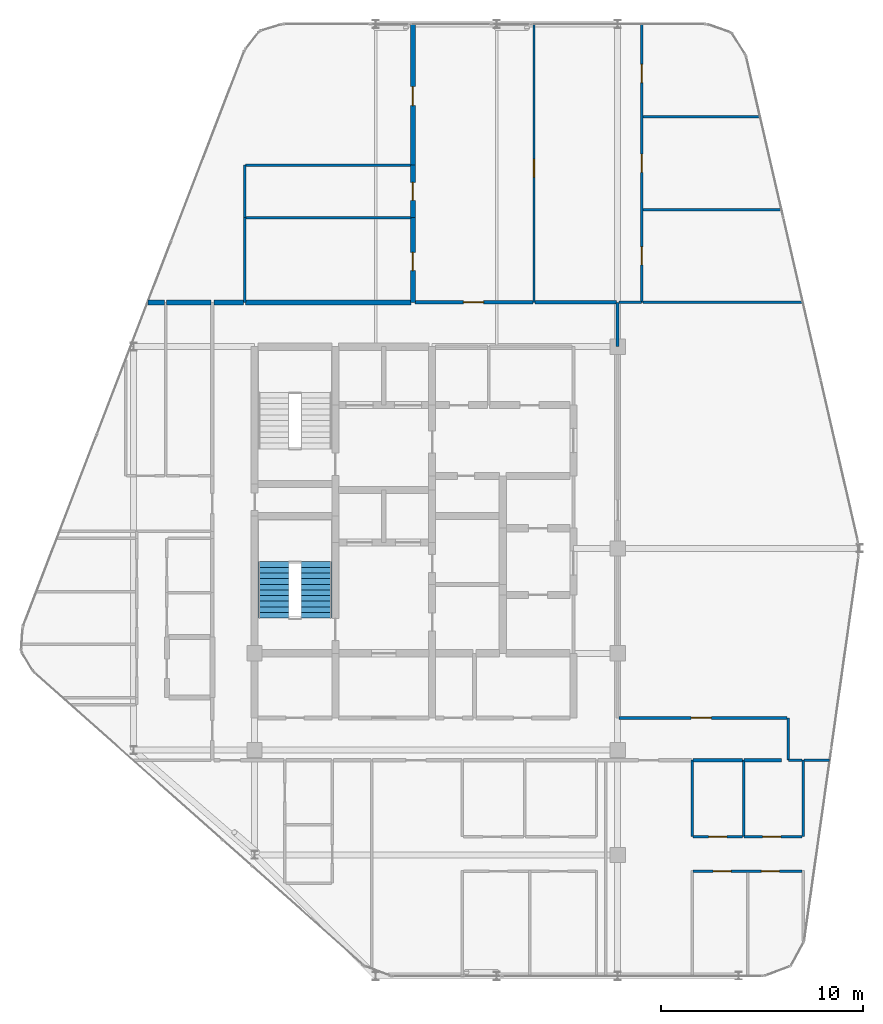
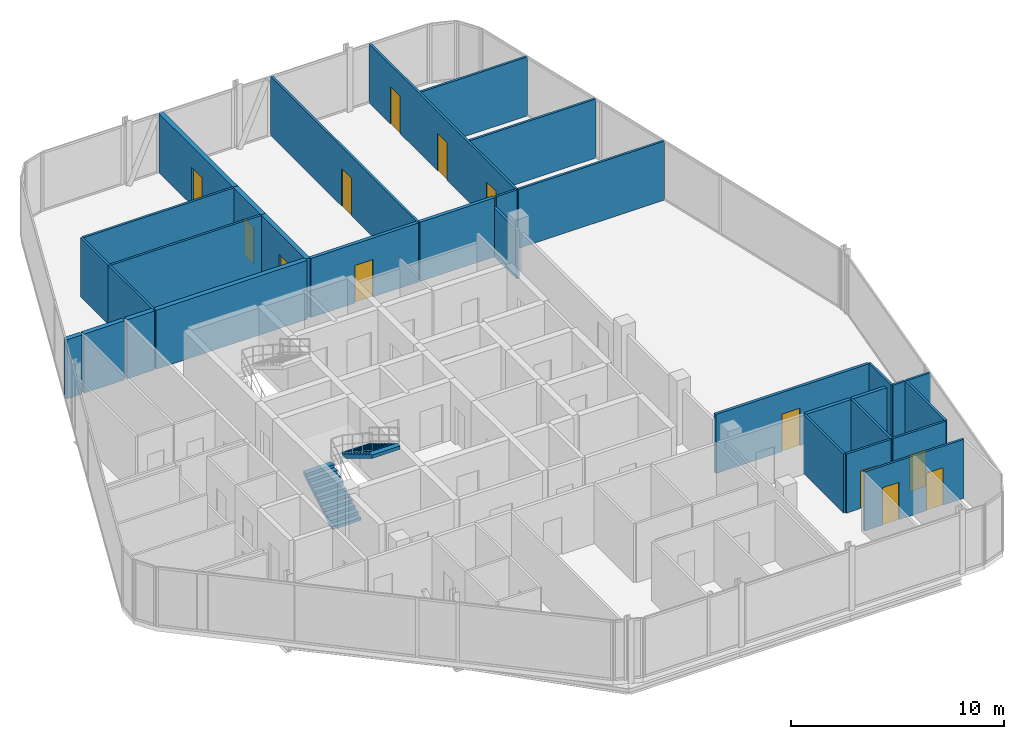
# One storey, part 25 of 27: 32 walls, 13 doors, 2 stair flights, 13 openings, 1 element without a shape of its own.
"""IFC4 building model written with IfcOpenShell, lengths in metres."""

from ifc_helpers import new_model, si_unit, direction, frame, frame_2d, origin, place, context, subcontext, project, spatial, polyline, rectangle, outline, extrude, material, layer, layer_set, type_object, element, fill, aggregate, save


model = new_model("IFC4")

# Units and contexts
model_context = context("Model", 3, precision=1e-05, world=origin(), true_north=direction((0.0, 1.0)))
body_context = subcontext(model_context, "Body", "Model", "MODEL_VIEW")
ifc_project = project(units=[si_unit("LENGTHUNIT", "METRE"), si_unit("AREAUNIT", "SQUARE_METRE"), si_unit("VOLUMEUNIT", "CUBIC_METRE"), si_unit("PLANEANGLEUNIT", "RADIAN"), si_unit("MASSUNIT", "GRAM", prefix="KILO")], contexts=[model_context])

# Site, building, storey
site_placement = place(None, origin())
site = spatial("IfcSite", under=ifc_project, at=site_placement, CompositionType="ELEMENT")
building_placement = place(site_placement, origin())
building = spatial("IfcBuilding", under=site, at=building_placement, Name="Keshet Zoharim Tower", CompositionType="ELEMENT")
storey_placement = place(building_placement, frame((0.0, 0.0, 254.699951171875)))
storey = spatial("IfcBuildingStorey", under=building, at=storey_placement, Name="L63", CompositionType="ELEMENT", Elevation=254.699951171875)

# Wall, opening, door
ifc_material_1 = material(Name="Gypsum Plasterboard", Category="gypsum")
ifc_layer_1 = layer(ifc_material_1, 0.14990234375)
ifc_layer_set_1 = layer_set([ifc_layer_1], Name="Gypsum Plasterboard")
wall_type_1 = type_object("IfcWallType", Name="WL-CLIN-150", PredefinedType="STANDARD", material=ifc_layer_set_1)
wall_1_placement = place(storey_placement, frame((33.06005859375, 19.5, 0.0), z_axis=(0.0, 0.0, 1.0), x_axis=(1.0, 0.0, 0.0)))
wall_1 = element("IfcWall", 1, at=wall_1_placement, inside=storey, type_object=wall_type_1, Name="L63 Interior Wall 096", PredefinedType="STANDARD", context=body_context, shape_type="SweptSolid", body=[
    extrude(rectangle(XDim=8.322998046875, YDim=0.14990234375, at=frame_2d((4.16162109375, 0.0))), origin(), (0.0, 0.0, 1.0), 3.39013671875),
])
opening_1_placement = place(wall_1_placement, frame((3.5830078125, 0.0, 0.0)))
opening_1 = element("IfcOpeningElement", 2, at=opening_1_placement, cuts=wall_1, Name="Opening D-F310", PredefinedType="OPENING", context=body_context, shape_type="SweptSolid", body=[
    extrude(rectangle(XDim=1.0, YDim=2.14990234375, at=frame_2d((0.5, 1.074951171875))), frame((0.0, 0.0849609375, 0.0), z_axis=(0.0, -1.0, 0.0), x_axis=(1.0, 0.0, 0.0)), (0.0, 0.0, 1.0), 0.169921875),
])
ifc_material_2 = material(Name="Hardwood Timber", Category="wood")
door_type_1 = type_object("IfcDoorType", Name="DR-FD30-100", OperationType="NOTDEFINED", PredefinedType="DOOR", material=ifc_material_2)
door_1_placement = place(opening_1_placement, origin())
door_1 = element("IfcDoor", 3, at=door_1_placement, inside=storey, type_object=door_type_1, Name="L63 North West Residents Services Suite Door 2", OperationType="SINGLE_SWING_RIGHT", OverallHeight=2.14990234375, OverallWidth=1.0, PredefinedType="DOOR", context=body_context, shape_type="SweptSolid", body=[
    extrude(rectangle(XDim=1.0, YDim=2.14990234375, at=frame_2d((0.5, 1.074951171875))), frame((0.0, 0.02490234375, 0.0), z_axis=(0.0, -1.0, 0.0), x_axis=(1.0, 0.0, 0.0)), (0.0, 0.0, 1.0), 0.050048828125),
])
fill(opening_1, door_1)

# Walls
wall_2_placement = place(storey_placement, frame((33.0, 37.89990234375, 0.0), z_axis=(0.0, 0.0, 1.0), x_axis=(0.0, 1.0, 0.0)))
element("IfcWall", 4, at=wall_2_placement, inside=storey, type_object=wall_type_1, Name="L63 Interior Wall 063 Part 3", PredefinedType="STANDARD", context=body_context, shape_type="SweptSolid", body=[
    extrude(rectangle(XDim=2.2001953125, YDim=0.14990234375, at=frame_2d((1.10009765625, 0.0))), origin(), (0.0, 0.0, 1.0), 2.7900390625),
])
ifc_layer_2 = layer(ifc_material_1, 0.179931640625)
ifc_layer_set_2 = layer_set([ifc_layer_2], Name="Gypsum Plasterboard")
wall_type_2 = type_object("IfcWallType", Name="WL-CORR-180", PredefinedType="STANDARD", material=ifc_layer_set_2)
wall_3_placement = place(storey_placement, frame((36.7451171875, 17.39990234375, 0.0), z_axis=(0.0, 0.0, 1.0), x_axis=(1.0, 0.0, 0.0)))
element("IfcWall", 5, at=wall_3_placement, inside=storey, type_object=wall_type_2, Name="L63 Interior Wall 088", PredefinedType="STANDARD", context=body_context, shape_type="SweptSolid", body=[
    extrude(rectangle(XDim=2.435791015625, YDim=0.179931640625, at=frame_2d((1.2177734375, 0.0))), origin(), (0.0, 0.0, 1.0), 3.39013671875),
])
wall_4_placement = place(storey_placement, frame((39.27099609375, 17.39990234375, 0.0), z_axis=(0.0, 0.0, 1.0), x_axis=(1.0, 0.0, 0.0)))
element("IfcWall", 6, at=wall_4_placement, inside=storey, type_object=wall_type_2, Name="L63 Interior Wall 089", PredefinedType="STANDARD", context=body_context, shape_type="SweptSolid", body=[
    extrude(rectangle(XDim=1.85888671875, YDim=0.179931640625, at=frame_2d((0.929443359375, 0.0))), origin(), (0.0, 0.0, 1.0), 3.39013671875),
])

# Wall, opening, door
wall_5_placement = place(storey_placement, frame((22.9599609375, 40.10009765625, 0.0), z_axis=(0.0, 0.0, 1.0), x_axis=(1.0, 0.0, 0.0)))
wall_5 = element("IfcWall", 7, at=wall_5_placement, inside=storey, type_object=wall_type_2, Name="L63 Interior Wall 136", PredefinedType="STANDARD", context=body_context, shape_type="SweptSolid", body=[
    extrude(rectangle(XDim=5.844970703125, YDim=0.179931640625, at=frame_2d((2.92236328125, 0.0))), origin(), (0.0, 0.0, 1.0), 3.39013671875),
])
opening_2_placement = place(wall_5_placement, frame((2.389892578125, 0.0, 0.0)))
opening_2 = element("IfcOpeningElement", 8, at=opening_2_placement, cuts=wall_5, Name="Opening D-F310", PredefinedType="OPENING", context=body_context, shape_type="SweptSolid", body=[
    extrude(rectangle(XDim=1.0, YDim=2.14990234375, at=frame_2d((0.5, 1.074951171875))), frame((0.0, 0.10009765625, 0.0), z_axis=(0.0, -1.0, 0.0), x_axis=(1.0, 0.0, 0.0)), (0.0, 0.0, 1.0), 0.199951171875),
])
door_2_placement = place(opening_2_placement, origin())
door_2 = element("IfcDoor", 9, at=door_2_placement, inside=storey, type_object=door_type_1, Name="Apartment 6304 Entrance Door", OperationType="SINGLE_SWING_LEFT", OverallHeight=2.14990234375, OverallWidth=1.0, PredefinedType="DOOR", context=body_context, shape_type="SweptSolid", body=[
    extrude(rectangle(XDim=1.0, YDim=2.14990234375, at=frame_2d((0.5, 1.074951171875))), frame((0.0, 0.02490234375, 0.0), z_axis=(0.0, -1.0, 0.0), x_axis=(1.0, 0.0, 0.0)), (0.0, 0.0, 1.0), 0.050048828125),
])
fill(opening_2, door_2)

# Wall
wall_6_placement = place(storey_placement, frame((28.89501953125, 40.10009765625, 0.0), z_axis=(0.0, 0.0, 1.0), x_axis=(1.0, 0.0, 0.0)))
element("IfcWall", 10, at=wall_6_placement, inside=storey, type_object=wall_type_2, Name="L63 Interior Wall 137", PredefinedType="STANDARD", context=body_context, shape_type="SweptSolid", body=[
    extrude(rectangle(XDim=4.044921875, YDim=0.179931640625, at=frame_2d((2.0224609375, 0.0))), origin(), (0.0, 0.0, 1.0), 3.39013671875),
])

# Wall, opening, door
ifc_material_3 = material(Name="Concrete C50/60", Category="concrete")
ifc_layer_3 = layer(ifc_material_3, 0.25)
ifc_layer_set_3 = layer_set([ifc_layer_3], Name="Concrete C50/60")
wall_type_3 = type_object("IfcWallType", Name="WL-MAMAD-250", PredefinedType="STANDARD", material=ifc_layer_set_3)
wall_7_placement = place(storey_placement, frame((22.85009765625, 40.10009765625, 0.0), z_axis=(0.0, 0.0, 1.0), x_axis=(0.0, 1.0, 0.0)))
wall_7 = element("IfcWall", 11, at=wall_7_placement, inside=storey, type_object=wall_type_3, Name="L63 Interior Wall 034", PredefinedType="STANDARD", context=body_context, shape_type="SweptSolid", body=[
    extrude(rectangle(XDim=4.199951171875, YDim=0.25, at=frame_2d((2.10009765625, 0.0))), origin(), (0.0, 0.0, 1.0), 3.39013671875),
])
opening_3_placement = place(wall_7_placement, frame((1.576904296875, 0.0, 0.0)))
opening_3 = element("IfcOpeningElement", 12, at=opening_3_placement, cuts=wall_7, Name="Opening D-IN90", PredefinedType="OPENING", context=body_context, shape_type="SweptSolid", body=[
    extrude(rectangle(XDim=0.89990234375, YDim=2.14990234375, at=frame_2d((0.449951171875, 1.074951171875))), frame((0.0, 0.135009765625, 0.0), z_axis=(0.0, -1.0, 0.0), x_axis=(1.0, 0.0, 0.0)), (0.0, 0.0, 1.0), 0.27001953125),
])
door_type_2 = type_object("IfcDoorType", Name="DR-INT-090", OperationType="NOTDEFINED", PredefinedType="DOOR", material=ifc_material_2)
door_3_placement = place(opening_3_placement, origin())
door_3 = element("IfcDoor", 13, at=door_3_placement, inside=storey, type_object=door_type_2, Name="Apartment 6304 Kitchen Door", OperationType="SINGLE_SWING_RIGHT", OverallHeight=2.14990234375, OverallWidth=0.89990234375, PredefinedType="DOOR", context=body_context, shape_type="SweptSolid", body=[
    extrude(rectangle(XDim=0.89990234375, YDim=2.14990234375, at=frame_2d((0.449951171875, 1.074951171875))), frame((0.0, 0.02490234375, 0.0), z_axis=(0.0, -1.0, 0.0), x_axis=(1.0, 0.0, 0.0)), (0.0, 0.0, 1.0), 0.050048828125),
])
fill(opening_3, door_3)

wall_8_placement = place(storey_placement, frame((22.85009765625, 44.300048828125, 0.0), z_axis=(0.0, 0.0, 1.0), x_axis=(0.0, 1.0, 0.0)))
wall_8 = element("IfcWall", 14, at=wall_8_placement, inside=storey, type_object=wall_type_3, Name="L63 Interior Wall 035", PredefinedType="STANDARD", context=body_context, shape_type="SweptSolid", body=[
    extrude(rectangle(XDim=2.599853515625, YDim=0.25, at=frame_2d((1.2998046875, 0.0))), origin(), (0.0, 0.0, 1.0), 3.39013671875),
])
opening_4_placement = place(wall_8_placement, frame((0.85009765625, 0.0, 0.0)))
opening_4 = element("IfcOpeningElement", 15, at=opening_4_placement, cuts=wall_8, Name="Opening D-WT90", PredefinedType="OPENING", context=body_context, shape_type="SweptSolid", body=[
    extrude(rectangle(XDim=0.89990234375, YDim=2.10009765625, at=frame_2d((0.449951171875, 1.050048828125))), frame((0.0, 0.135009765625, 0.0), z_axis=(0.0, -1.0, 0.0), x_axis=(1.0, 0.0, 0.0)), (0.0, 0.0, 1.0), 0.27001953125),
])
door_type_3 = type_object("IfcDoorType", Name="DR-WET-090", OperationType="NOTDEFINED", PredefinedType="DOOR", material=ifc_material_2)
door_4_placement = place(opening_4_placement, origin())
door_4 = element("IfcDoor", 16, at=door_4_placement, inside=storey, type_object=door_type_3, Name="Apartment 6304 Bathroom Door", OperationType="SINGLE_SWING_LEFT", OverallHeight=2.10009765625, OverallWidth=0.89990234375, PredefinedType="DOOR", context=body_context, shape_type="SweptSolid", body=[
    extrude(rectangle(XDim=0.89990234375, YDim=2.10009765625, at=frame_2d((0.449951171875, 1.050048828125))), frame((0.0, 0.02490234375, 0.0), z_axis=(0.0, -1.0, 0.0), x_axis=(1.0, 0.0, 0.0)), (0.0, 0.0, 1.0), 0.050048828125),
])
fill(opening_4, door_4)

wall_9_placement = place(storey_placement, frame((22.85009765625, 46.89990234375, 0.0), z_axis=(0.0, 0.0, 1.0), x_axis=(0.0, 1.0, 0.0)))
wall_9 = element("IfcWall", 17, at=wall_9_placement, inside=storey, type_object=wall_type_3, Name="L63 Interior Wall 036", PredefinedType="STANDARD", context=body_context, shape_type="SweptSolid", body=[
    extrude(rectangle(XDim=6.989990234375, YDim=0.25, at=frame_2d((3.4951171875, 0.0))), origin(), (0.0, 0.0, 1.0), 3.39013671875),
])
opening_5_placement = place(wall_9_placement, frame((2.948974609375, 0.0, 0.0)))
opening_5 = element("IfcOpeningElement", 18, at=opening_5_placement, cuts=wall_9, Name="Opening D-F695", PredefinedType="OPENING", context=body_context, shape_type="SweptSolid", body=[
    extrude(rectangle(XDim=0.949951171875, YDim=2.14990234375, at=frame_2d((0.47509765625, 1.074951171875))), frame((0.0, 0.135009765625, 0.0), z_axis=(0.0, -1.0, 0.0), x_axis=(1.0, 0.0, 0.0)), (0.0, 0.0, 1.0), 0.27001953125),
])
door_type_4 = type_object("IfcDoorType", Name="DR-FD60-095", OperationType="NOTDEFINED", PredefinedType="DOOR", material=ifc_material_2)
door_5_placement = place(opening_5_placement, origin())
door_5 = element("IfcDoor", 19, at=door_5_placement, inside=storey, type_object=door_type_4, Name="Apartment 6304 Study and Shelter Room Door", OperationType="SINGLE_SWING_RIGHT", OverallHeight=2.14990234375, OverallWidth=0.949951171875, PredefinedType="DOOR", context=body_context, shape_type="SweptSolid", body=[
    extrude(rectangle(XDim=0.949951171875, YDim=2.14990234375, at=frame_2d((0.47509765625, 1.074951171875))), frame((0.0, 0.02490234375, 0.0), z_axis=(0.0, -1.0, 0.0), x_axis=(1.0, 0.0, 0.0)), (0.0, 0.0, 1.0), 0.050048828125),
])
fill(opening_5, door_5)

# Walls
wall_10_placement = place(storey_placement, frame((9.701904296875, 40.10009765625, 0.0), z_axis=(0.0, 0.0, 1.0), x_axis=(1.0, 0.0, 0.0)))
element("IfcWall", 20, at=wall_10_placement, inside=storey, type_object=wall_type_3, Name="L63 Interior Wall 132", PredefinedType="STANDARD", context=body_context, shape_type="SweptSolid", body=[
    extrude(rectangle(XDim=0.8310546875, YDim=0.25, at=frame_2d((0.41552734375, 0.0))), origin(), (0.0, 0.0, 1.0), 3.39013671875),
])
wall_11_placement = place(storey_placement, frame((10.623046875, 40.10009765625, 0.0), z_axis=(0.0, 0.0, 1.0), x_axis=(1.0, 0.0, 0.0)))
element("IfcWall", 21, at=wall_11_placement, inside=storey, type_object=wall_type_3, Name="L63 Interior Wall 133", PredefinedType="STANDARD", context=body_context, shape_type="SweptSolid", body=[
    extrude(rectangle(XDim=2.201904296875, YDim=0.25, at=frame_2d((1.10107421875, 0.0))), origin(), (0.0, 0.0, 1.0), 3.39013671875),
])
wall_12_placement = place(storey_placement, frame((12.97509765625, 40.10009765625, 0.0), z_axis=(0.0, 0.0, 1.0), x_axis=(1.0, 0.0, 0.0)))
element("IfcWall", 22, at=wall_12_placement, inside=storey, type_object=wall_type_3, Name="L63 Interior Wall 134", PredefinedType="STANDARD", context=body_context, shape_type="SweptSolid", body=[
    extrude(rectangle(XDim=1.47998046875, YDim=0.25, at=frame_2d((0.739990234375, 0.0))), origin(), (0.0, 0.0, 1.0), 3.39013671875),
])
wall_13_placement = place(storey_placement, frame((14.544921875, 40.10009765625, 0.0), z_axis=(0.0, 0.0, 1.0), x_axis=(1.0, 0.0, 0.0)))
element("IfcWall", 23, at=wall_13_placement, inside=storey, type_object=wall_type_3, Name="L63 Interior Wall 135", PredefinedType="STANDARD", context=body_context, shape_type="SweptSolid", body=[
    extrude(rectangle(XDim=8.195068359375, YDim=0.25, at=frame_2d((4.09765625, 0.0))), origin(), (0.0, 0.0, 1.0), 3.39013671875),
])
ifc_layer_4 = layer(ifc_material_1, 0.1201171875)
ifc_layer_set_4 = layer_set([ifc_layer_4], Name="Gypsum Plasterboard")
wall_type_4 = type_object("IfcWallType", Name="WL-PART-120", PredefinedType="PARTITIONING", material=ifc_layer_set_4)
wall_14_placement = place(storey_placement, frame((14.5, 40.10009765625, 0.0), z_axis=(0.0, 0.0, 1.0), x_axis=(0.0, 1.0, 0.0)))
element("IfcWall", 24, at=wall_14_placement, inside=storey, type_object=wall_type_4, Name="L63 Interior Wall 016", PredefinedType="PARTITIONING", context=body_context, shape_type="SweptSolid", body=[
    extrude(rectangle(XDim=4.199951171875, YDim=0.1201171875, at=frame_2d((2.10009765625, 0.0))), origin(), (0.0, 0.0, 1.0), 3.39013671875),
])

# Wall, opening, door
wall_15_placement = place(storey_placement, frame((28.85009765625, 40.10009765625, 0.0), z_axis=(0.0, 0.0, 1.0), x_axis=(0.0, 1.0, 0.0)))
wall_15 = element("IfcWall", 25, at=wall_15_placement, inside=storey, type_object=wall_type_4, Name="L63 Interior Wall 053", PredefinedType="PARTITIONING", context=body_context, shape_type="SweptSolid", body=[
    extrude(rectangle(XDim=13.789794921875, YDim=0.1201171875, at=frame_2d((6.89501953125, 0.0))), origin(), (0.0, 0.0, 1.0), 3.39013671875),
])
opening_6_placement = place(wall_15_placement, frame((6.199951171875, 0.0, 0.0)))
opening_6 = element("IfcOpeningElement", 26, at=opening_6_placement, cuts=wall_15, Name="Opening D-IN90", PredefinedType="OPENING", context=body_context, shape_type="SweptSolid", body=[
    extrude(rectangle(XDim=0.89990234375, YDim=2.14990234375, at=frame_2d((0.449951171875, 1.074951171875))), frame((0.0, 0.070068359375, 0.0), z_axis=(0.0, -1.0, 0.0), x_axis=(1.0, 0.0, 0.0)), (0.0, 0.0, 1.0), 0.14013671875),
])
door_6_placement = place(opening_6_placement, origin())
door_6 = element("IfcDoor", 27, at=door_6_placement, inside=storey, type_object=door_type_2, Name="Apartment 6304 Formal Dining Room Door", OperationType="SINGLE_SWING_RIGHT", OverallHeight=2.14990234375, OverallWidth=0.89990234375, PredefinedType="DOOR", context=body_context, shape_type="SweptSolid", body=[
    extrude(rectangle(XDim=0.89990234375, YDim=2.14990234375, at=frame_2d((0.449951171875, 1.074951171875))), frame((0.0, 0.02490234375, 0.0), z_axis=(0.0, -1.0, 0.0), x_axis=(1.0, 0.0, 0.0)), (0.0, 0.0, 1.0), 0.050048828125),
])
fill(opening_6, door_6)

# Wall, openings, doors
wall_16_placement = place(storey_placement, frame((34.199951171875, 40.10009765625, 0.0), z_axis=(0.0, 0.0, 1.0), x_axis=(0.0, 1.0, 0.0)))
wall_16 = element("IfcWall", 28, at=wall_16_placement, inside=storey, type_object=wall_type_4, Name="L63 Interior Wall 064", PredefinedType="PARTITIONING", context=body_context, shape_type="SweptSolid", body=[
    extrude(rectangle(XDim=13.789794921875, YDim=0.1201171875, at=frame_2d((6.89501953125, 0.0))), origin(), (0.0, 0.0, 1.0), 3.39013671875),
])
opening_7_placement = place(wall_16_placement, frame((1.85205078125, 0.0, 0.0)))
opening_7 = element("IfcOpeningElement", 29, at=opening_7_placement, cuts=wall_16, Name="Opening D-IN90", PredefinedType="OPENING", context=body_context, shape_type="SweptSolid", body=[
    extrude(rectangle(XDim=0.89990234375, YDim=2.14990234375, at=frame_2d((0.449951171875, 1.074951171875))), frame((0.0, 0.070068359375, 0.0), z_axis=(0.0, -1.0, 0.0), x_axis=(1.0, 0.0, 0.0)), (0.0, 0.0, 1.0), 0.14013671875),
])
opening_8_placement = place(wall_16_placement, frame((6.449951171875, 0.0, 0.0)))
opening_8 = element("IfcOpeningElement", 30, at=opening_8_placement, cuts=wall_16, Name="Opening D-IN90", PredefinedType="OPENING", context=body_context, shape_type="SweptSolid", body=[
    extrude(rectangle(XDim=0.89990234375, YDim=2.14990234375, at=frame_2d((0.449951171875, 1.074951171875))), frame((0.0, 0.070068359375, 0.0), z_axis=(0.0, -1.0, 0.0), x_axis=(1.0, 0.0, 0.0)), (0.0, 0.0, 1.0), 0.14013671875),
])
opening_9_placement = place(wall_16_placement, frame((10.89794921875, 0.0, 0.0)))
opening_9 = element("IfcOpeningElement", 31, at=opening_9_placement, cuts=wall_16, Name="Opening D-IN90", PredefinedType="OPENING", context=body_context, shape_type="SweptSolid", body=[
    extrude(rectangle(XDim=0.89990234375, YDim=2.14990234375, at=frame_2d((0.449951171875, 1.074951171875))), frame((0.0, 0.070068359375, 0.0), z_axis=(0.0, -1.0, 0.0), x_axis=(1.0, 0.0, 0.0)), (0.0, 0.0, 1.0), 0.14013671875),
])
door_7_placement = place(opening_7_placement, origin())
door_7 = element("IfcDoor", 32, at=door_7_placement, inside=storey, type_object=door_type_2, Name="Apartment 6304 Bedroom 1 Door", OperationType="SINGLE_SWING_RIGHT", OverallHeight=2.14990234375, OverallWidth=0.89990234375, PredefinedType="DOOR", context=body_context, shape_type="SweptSolid", body=[
    extrude(rectangle(XDim=0.89990234375, YDim=2.14990234375, at=frame_2d((0.449951171875, 1.074951171875))), frame((0.0, 0.02490234375, 0.0), z_axis=(0.0, -1.0, 0.0), x_axis=(1.0, 0.0, 0.0)), (0.0, 0.0, 1.0), 0.050048828125),
])
fill(opening_7, door_7)
door_8_placement = place(opening_8_placement, origin())
door_8 = element("IfcDoor", 33, at=door_8_placement, inside=storey, type_object=door_type_2, Name="Apartment 6304 Bedroom 2 Door", OperationType="SINGLE_SWING_LEFT", OverallHeight=2.14990234375, OverallWidth=0.89990234375, PredefinedType="DOOR", context=body_context, shape_type="SweptSolid", body=[
    extrude(rectangle(XDim=0.89990234375, YDim=2.14990234375, at=frame_2d((0.449951171875, 1.074951171875))), frame((0.0, 0.02490234375, 0.0), z_axis=(0.0, -1.0, 0.0), x_axis=(1.0, 0.0, 0.0)), (0.0, 0.0, 1.0), 0.050048828125),
])
fill(opening_8, door_8)
door_9_placement = place(opening_9_placement, origin())
door_9 = element("IfcDoor", 34, at=door_9_placement, inside=storey, type_object=door_type_2, Name="Apartment 6304 Bedroom 3 Door", OperationType="SINGLE_SWING_RIGHT", OverallHeight=2.14990234375, OverallWidth=0.89990234375, PredefinedType="DOOR", context=body_context, shape_type="SweptSolid", body=[
    extrude(rectangle(XDim=0.89990234375, YDim=2.14990234375, at=frame_2d((0.449951171875, 1.074951171875))), frame((0.0, 0.02490234375, 0.0), z_axis=(0.0, -1.0, 0.0), x_axis=(1.0, 0.0, 0.0)), (0.0, 0.0, 1.0), 0.050048828125),
])
fill(opening_9, door_9)

# Walls
wall_17_placement = place(storey_placement, frame((36.699951171875, 13.6201171875, 0.0), z_axis=(0.0, 0.0, 1.0), x_axis=(0.0, 1.0, 0.0)))
element("IfcWall", 35, at=wall_17_placement, inside=storey, type_object=wall_type_4, Name="L63 Interior Wall 066", PredefinedType="PARTITIONING", context=body_context, shape_type="SweptSolid", body=[
    extrude(rectangle(XDim=3.77978515625, YDim=0.1201171875, at=frame_2d((1.889892578125, 0.0))), origin(), (0.0, 0.0, 1.0), 3.39013671875),
])
wall_18_placement = place(storey_placement, frame((41.449951171875, 17.39990234375, 0.0), z_axis=(0.0, 0.0, 1.0), x_axis=(0.0, 1.0, 0.0)))
element("IfcWall", 36, at=wall_18_placement, inside=storey, type_object=wall_type_4, Name="L63 Interior Wall 069", PredefinedType="PARTITIONING", context=body_context, shape_type="SweptSolid", body=[
    extrude(rectangle(XDim=2.09912109375, YDim=0.1201171875, at=frame_2d((1.049560546875, 0.0))), origin(), (0.0, 0.0, 1.0), 3.39013671875),
])

# Wall, openings, doors
wall_19_placement = place(storey_placement, frame((36.7451171875, 11.89990234375, 0.0), z_axis=(0.0, 0.0, 1.0), x_axis=(1.0, 0.0, 0.0)))
wall_19 = element("IfcWall", 37, at=wall_19_placement, inside=storey, type_object=wall_type_4, Name="L63 Interior Wall 074", PredefinedType="PARTITIONING", context=body_context, shape_type="SweptSolid", body=[
    extrude(rectangle(XDim=5.40087890625, YDim=0.1201171875, at=frame_2d((2.700439453125, 0.0))), origin(), (0.0, 0.0, 1.0), 3.39013671875),
])
opening_10_placement = place(wall_19_placement, frame((0.98095703125, 0.0, 0.0)))
opening_10 = element("IfcOpeningElement", 38, at=opening_10_placement, cuts=wall_19, Name="Opening D-IN90", PredefinedType="OPENING", context=body_context, shape_type="SweptSolid", body=[
    extrude(rectangle(XDim=0.89990234375, YDim=2.14990234375, at=frame_2d((0.449951171875, 1.074951171875))), frame((0.0, 0.070068359375, 0.0), z_axis=(0.0, -1.0, 0.0), x_axis=(1.0, 0.0, 0.0)), (0.0, 0.0, 1.0), 0.14013671875),
])
opening_11_placement = place(wall_19_placement, frame((3.376953125, 0.0, 0.0)))
opening_11 = element("IfcOpeningElement", 39, at=opening_11_placement, cuts=wall_19, Name="Opening D-IN90", PredefinedType="OPENING", context=body_context, shape_type="SweptSolid", body=[
    extrude(rectangle(XDim=0.89990234375, YDim=2.14990234375, at=frame_2d((0.449951171875, 1.074951171875))), frame((0.0, 0.070068359375, 0.0), z_axis=(0.0, -1.0, 0.0), x_axis=(1.0, 0.0, 0.0)), (0.0, 0.0, 1.0), 0.14013671875),
])
door_10_placement = place(opening_10_placement, origin())
door_10 = element("IfcDoor", 40, at=door_10_placement, inside=storey, type_object=door_type_2, Name="Apartment 6303 Bedroom 1 Door", OperationType="SINGLE_SWING_LEFT", OverallHeight=2.14990234375, OverallWidth=0.89990234375, PredefinedType="DOOR", context=body_context, shape_type="SweptSolid", body=[
    extrude(rectangle(XDim=0.89990234375, YDim=2.14990234375, at=frame_2d((0.449951171875, 1.074951171875))), frame((0.0, 0.02490234375, 0.0), z_axis=(0.0, -1.0, 0.0), x_axis=(1.0, 0.0, 0.0)), (0.0, 0.0, 1.0), 0.050048828125),
])
fill(opening_10, door_10)
door_11_placement = place(opening_11_placement, origin())
door_11 = element("IfcDoor", 41, at=door_11_placement, inside=storey, type_object=door_type_2, Name="Apartment 6303 Bedroom 2 Door", OperationType="SINGLE_SWING_RIGHT", OverallHeight=2.14990234375, OverallWidth=0.89990234375, PredefinedType="DOOR", context=body_context, shape_type="SweptSolid", body=[
    extrude(rectangle(XDim=0.89990234375, YDim=2.14990234375, at=frame_2d((0.449951171875, 1.074951171875))), frame((0.0, 0.02490234375, 0.0), z_axis=(0.0, -1.0, 0.0), x_axis=(1.0, 0.0, 0.0)), (0.0, 0.0, 1.0), 0.050048828125),
])
fill(opening_11, door_11)

# Wall, opening, door
wall_20_placement = place(storey_placement, frame((36.7451171875, 13.60009765625, 0.0), z_axis=(0.0, 0.0, 1.0), x_axis=(1.0, 0.0, 0.0)))
wall_20 = element("IfcWall", 42, at=wall_20_placement, inside=storey, type_object=wall_type_4, Name="L63 Interior Wall 077", PredefinedType="PARTITIONING", context=body_context, shape_type="SweptSolid", body=[
    extrude(rectangle(XDim=2.435791015625, YDim=0.1201171875, at=frame_2d((1.2177734375, 0.0))), origin(), (0.0, 0.0, 1.0), 3.39013671875),
])
opening_12_placement = place(wall_20_placement, frame((0.76806640625, 0.0, 0.0)))
opening_12 = element("IfcOpeningElement", 43, at=opening_12_placement, cuts=wall_20, Name="Opening D-IN90", PredefinedType="OPENING", context=body_context, shape_type="SweptSolid", body=[
    extrude(rectangle(XDim=0.89990234375, YDim=2.14990234375, at=frame_2d((0.449951171875, 1.074951171875))), frame((0.0, 0.070068359375, 0.0), z_axis=(0.0, -1.0, 0.0), x_axis=(1.0, 0.0, 0.0)), (0.0, 0.0, 1.0), 0.14013671875),
])
door_12_placement = place(opening_12_placement, origin())
door_12 = element("IfcDoor", 44, at=door_12_placement, inside=storey, type_object=door_type_2, Name="Apartment 6303 Kitchen Door", OperationType="SINGLE_SWING_LEFT", OverallHeight=2.14990234375, OverallWidth=0.89990234375, PredefinedType="DOOR", context=body_context, shape_type="SweptSolid", body=[
    extrude(rectangle(XDim=0.89990234375, YDim=2.14990234375, at=frame_2d((0.449951171875, 1.074951171875))), frame((0.0, 0.02490234375, 0.0), z_axis=(0.0, -1.0, 0.0), x_axis=(1.0, 0.0, 0.0)), (0.0, 0.0, 1.0), 0.050048828125),
])
fill(opening_12, door_12)

# Walls
wall_21_placement = place(storey_placement, frame((42.236083984375, 17.39990234375, 0.0), z_axis=(0.0, 0.0, 1.0), x_axis=(1.0, 0.0, 0.0)))
element("IfcWall", 45, at=wall_21_placement, inside=storey, type_object=wall_type_4, Name="L63 Interior Wall 091", PredefinedType="PARTITIONING", context=body_context, shape_type="SweptSolid", body=[
    extrude(rectangle(XDim=1.267822265625, YDim=0.1201171875, at=frame_2d((0.6337890625, 0.0))), origin(), (0.0, 0.0, 1.0), 3.39013671875),
])
wall_22_placement = place(storey_placement, frame((33.06005859375, 40.10009765625, 0.0), z_axis=(0.0, 0.0, 1.0), x_axis=(1.0, 0.0, 0.0)))
element("IfcWall", 46, at=wall_22_placement, inside=storey, type_object=wall_type_4, Name="L63 Interior Wall 138", PredefinedType="PARTITIONING", context=body_context, shape_type="SweptSolid", body=[
    extrude(rectangle(XDim=1.114990234375, YDim=0.1201171875, at=frame_2d((0.5576171875, 0.0))), origin(), (0.0, 0.0, 1.0), 3.39013671875),
])
wall_23_placement = place(storey_placement, frame((34.264892578125, 40.10009765625, 0.0), z_axis=(0.0, 0.0, 1.0), x_axis=(1.0, 0.0, 0.0)))
element("IfcWall", 47, at=wall_23_placement, inside=storey, type_object=wall_type_4, Name="L63 Interior Wall 139", PredefinedType="PARTITIONING", context=body_context, shape_type="SweptSolid", body=[
    extrude(rectangle(XDim=7.91015625, YDim=0.1201171875, at=frame_2d((3.955078125, 0.0))), origin(), (0.0, 0.0, 1.0), 3.39013671875),
])
wall_24_placement = place(storey_placement, frame((34.264892578125, 44.699951171875, 0.0), z_axis=(0.0, 0.0, 1.0), x_axis=(1.0, 0.0, 0.0)))
element("IfcWall", 48, at=wall_24_placement, inside=storey, type_object=wall_type_4, Name="L63 Interior Wall 141", PredefinedType="PARTITIONING", context=body_context, shape_type="SweptSolid", body=[
    extrude(rectangle(XDim=6.84814453125, YDim=0.1201171875, at=frame_2d((3.424072265625, 0.0))), origin(), (0.0, 0.0, 1.0), 3.39013671875),
])
wall_25_placement = place(storey_placement, frame((34.264892578125, 49.300048828125, 0.0), z_axis=(0.0, 0.0, 1.0), x_axis=(1.0, 0.0, 0.0)))
element("IfcWall", 49, at=wall_25_placement, inside=storey, type_object=wall_type_4, Name="L63 Interior Wall 143", PredefinedType="PARTITIONING", context=body_context, shape_type="SweptSolid", body=[
    extrude(rectangle(XDim=5.787109375, YDim=0.1201171875, at=frame_2d((2.8935546875, 0.0))), origin(), (0.0, 0.0, 1.0), 3.39013671875),
])
ifc_layer_5 = layer(ifc_material_1, 0.1201171875)
ifc_layer_set_5 = layer_set([ifc_layer_5], Name="Gypsum Plasterboard")
wall_type_5 = type_object("IfcWallType", Name="WL-WET-120", PredefinedType="PARTITIONING", material=ifc_layer_set_5)
wall_26_placement = place(storey_placement, frame((14.5, 44.300048828125, 0.0), z_axis=(0.0, 0.0, 1.0), x_axis=(0.0, 1.0, 0.0)))
element("IfcWall", 50, at=wall_26_placement, inside=storey, type_object=wall_type_5, Name="L63 Interior Wall 017", PredefinedType="PARTITIONING", context=body_context, shape_type="SweptSolid", body=[
    extrude(rectangle(XDim=2.599853515625, YDim=0.1201171875, at=frame_2d((1.2998046875, 0.0))), origin(), (0.0, 0.0, 1.0), 3.39013671875),
])
for number, where, z_axis, x_axis, name in (
    (51, (39.25, 13.6201171875, 0.0), (0.0, 0.0, 1.0), (0.0, 1.0, 0.0), "L63 Interior Wall 067"),
    (52, (42.199951171875, 13.6201171875, 0.0), (0.0, 0.0, 1.0), (0.0, 1.0, 0.0), "L63 Interior Wall 071"),
):
    element("IfcWall", number, at=place(storey_placement, frame(where, z_axis=z_axis, x_axis=x_axis)), inside=storey, type_object=wall_type_5, Name=name, PredefinedType="PARTITIONING", context=body_context, shape_type="SweptSolid", body=[
        extrude(rectangle(XDim=3.77978515625, YDim=0.1201171875, at=frame_2d((1.889892578125, 0.0))), origin(), (0.0, 0.0, 1.0), 3.39013671875),
    ])

# Wall, opening, door
wall_27_placement = place(storey_placement, frame((39.27099609375, 13.60009765625, 0.0), z_axis=(0.0, 0.0, 1.0), x_axis=(1.0, 0.0, 0.0)))
wall_27 = element("IfcWall", 53, at=wall_27_placement, inside=storey, type_object=wall_type_5, Name="L63 Interior Wall 078", PredefinedType="PARTITIONING", context=body_context, shape_type="SweptSolid", body=[
    extrude(rectangle(XDim=2.875, YDim=0.1201171875, at=frame_2d((1.4375, 0.0))), origin(), (0.0, 0.0, 1.0), 3.39013671875),
])
opening_13_placement = place(wall_27_placement, frame((0.9169921875, 0.0, 0.0)))
opening_13 = element("IfcOpeningElement", 54, at=opening_13_placement, cuts=wall_27, Name="Opening D-WT90", PredefinedType="OPENING", context=body_context, shape_type="SweptSolid", body=[
    extrude(rectangle(XDim=0.89990234375, YDim=2.10009765625, at=frame_2d((0.449951171875, 1.050048828125))), frame((0.0, 0.070068359375, 0.0), z_axis=(0.0, -1.0, 0.0), x_axis=(1.0, 0.0, 0.0)), (0.0, 0.0, 1.0), 0.14013671875),
])
door_13_placement = place(opening_13_placement, origin())
door_13 = element("IfcDoor", 55, at=door_13_placement, inside=storey, type_object=door_type_3, Name="Apartment 6303 Bathroom Door", OperationType="SINGLE_SWING_RIGHT", OverallHeight=2.10009765625, OverallWidth=0.89990234375, PredefinedType="DOOR", context=body_context, shape_type="SweptSolid", body=[
    extrude(rectangle(XDim=0.89990234375, YDim=2.10009765625, at=frame_2d((0.449951171875, 1.050048828125))), frame((0.0, 0.02490234375, 0.0), z_axis=(0.0, -1.0, 0.0), x_axis=(1.0, 0.0, 0.0)), (0.0, 0.0, 1.0), 0.050048828125),
])
fill(opening_13, door_13)

# Walls
wall_28_placement = place(storey_placement, frame((41.472900390625, 17.39990234375, 0.0), z_axis=(0.0, 0.0, 1.0), x_axis=(1.0, 0.0, 0.0)))
element("IfcWall", 56, at=wall_28_placement, inside=storey, type_object=wall_type_5, Name="L63 Interior Wall 090", PredefinedType="PARTITIONING", context=body_context, shape_type="SweptSolid", body=[
    extrude(rectangle(XDim=0.673095703125, YDim=0.1201171875, at=frame_2d((0.33642578125, 0.0))), origin(), (0.0, 0.0, 1.0), 3.39013671875),
])
for number, where, z_axis, x_axis, name in (
    (57, (14.544921875, 44.300048828125, 0.0), (0.0, 0.0, 1.0), (1.0, 0.0, 0.0), "L63 Interior Wall 140"),
    (58, (14.544921875, 46.89990234375, 0.0), (0.0, 0.0, 1.0), (1.0, 0.0, 0.0), "L63 Interior Wall 142"),
):
    element("IfcWall", number, at=place(storey_placement, frame(where, z_axis=z_axis, x_axis=x_axis)), inside=storey, type_object=wall_type_5, Name=name, PredefinedType="PARTITIONING", context=body_context, shape_type="SweptSolid", body=[
        extrude(rectangle(XDim=8.195068359375, YDim=0.1201171875, at=frame_2d((4.09765625, 0.0))), origin(), (0.0, 0.0, 1.0), 3.39013671875),
    ])

# Stair, stair flights
stair_type = type_object("IfcStairType", Name="STR-EXIT-135", PredefinedType="HALF_TURN_STAIR", material=ifc_material_3)
stair_placement = place(storey_placement, origin())
stair = element("IfcStair", 59, at=stair_placement, inside=storey, type_object=stair_type, Name="L63 Enclosed Exit Stair ST-01", PredefinedType="HALF_TURN_STAIR")
stair_flight_type = type_object("IfcStairFlightType", Name="FLT-PRE-135", PredefinedType="STRAIGHT", material=ifc_material_3)
stair_flight_1_placement = place(storey_placement, frame((15.945068359375, 24.43994140625, 0.0), z_axis=(0.0, 0.0, 1.0), x_axis=(0.0, 1.0, 0.0)))
stair_flight_1 = element("IfcStairFlight", 60, at=stair_flight_1_placement, type_object=stair_flight_type, Name="ST-01 flight 1", NumberOfRisers=11, NumberOfTreads=10, PredefinedType="STRAIGHT", RiserHeight=0.168182, TreadLength=0.28, context=body_context, shape_type="SweptSolid", body=[
    extrude(outline(polyline([(0.0, 0.0), (0.0, 0.168212890625), (0.280029296875, 0.168212890625), (0.280029296875, 0.33642578125), (0.56005859375, 0.33642578125), (0.56005859375, 0.504638671875), (0.840087890625, 0.504638671875), (0.840087890625, 0.672607421875), (1.1201171875, 0.672607421875), (1.1201171875, 0.8408203125), (1.39990234375, 0.8408203125), (1.39990234375, 1.009033203125), (1.679931640625, 1.009033203125), (1.679931640625, 1.17724609375), (1.9599609375, 1.17724609375), (1.9599609375, 1.345458984375), (2.239990234375, 1.345458984375), (2.239990234375, 1.513671875), (2.52001953125, 1.513671875), (2.52001953125, 1.681884765625), (2.800048828125, 1.681884765625), (2.800048828125, 1.85009765625), (2.800048828125, 1.495361328125), (0.310546875, 0.0), (0.0, 0.0)])), frame((0.0, 0.76513671875, 0.0), z_axis=(0.0, -1.0, 0.0), x_axis=(1.0, 0.0, 0.0)), (0.0, 0.0, 1.0), 1.530029296875),
])
stair_flight_2_placement = place(storey_placement, frame((18.054931640625, 27.239990234375, 1.85009765625), z_axis=(0.0, 0.0, 1.0), x_axis=(0.0, -1.0, 0.0)))
stair_flight_2 = element("IfcStairFlight", 61, at=stair_flight_2_placement, type_object=stair_flight_type, Name="ST-01 flight 2", NumberOfRisers=11, NumberOfTreads=10, PredefinedType="STRAIGHT", RiserHeight=0.168182, TreadLength=0.28, context=body_context, shape_type="SweptSolid", body=[
    extrude(outline(polyline([(0.0, 0.0), (0.0, 0.168212890625), (0.280029296875, 0.168212890625), (0.280029296875, 0.33642578125), (0.56005859375, 0.33642578125), (0.56005859375, 0.504638671875), (0.840087890625, 0.504638671875), (0.840087890625, 0.672607421875), (1.1201171875, 0.672607421875), (1.1201171875, 0.8408203125), (1.39990234375, 0.8408203125), (1.39990234375, 1.009033203125), (1.679931640625, 1.009033203125), (1.679931640625, 1.17724609375), (1.9599609375, 1.17724609375), (1.9599609375, 1.345458984375), (2.239990234375, 1.345458984375), (2.239990234375, 1.513671875), (2.52001953125, 1.513671875), (2.52001953125, 1.681884765625), (2.800048828125, 1.681884765625), (2.800048828125, 1.85009765625), (2.800048828125, 1.495361328125), (0.310546875, 0.0), (0.0, 0.0)])), frame((0.0, 0.76513671875, 0.0), z_axis=(0.0, -1.0, 0.0), x_axis=(1.0, 0.0, 0.0)), (0.0, 0.0, 1.0), 1.530029296875),
])
aggregate(stair, [stair_flight_1, stair_flight_2])

save(model, "model.ifc")
